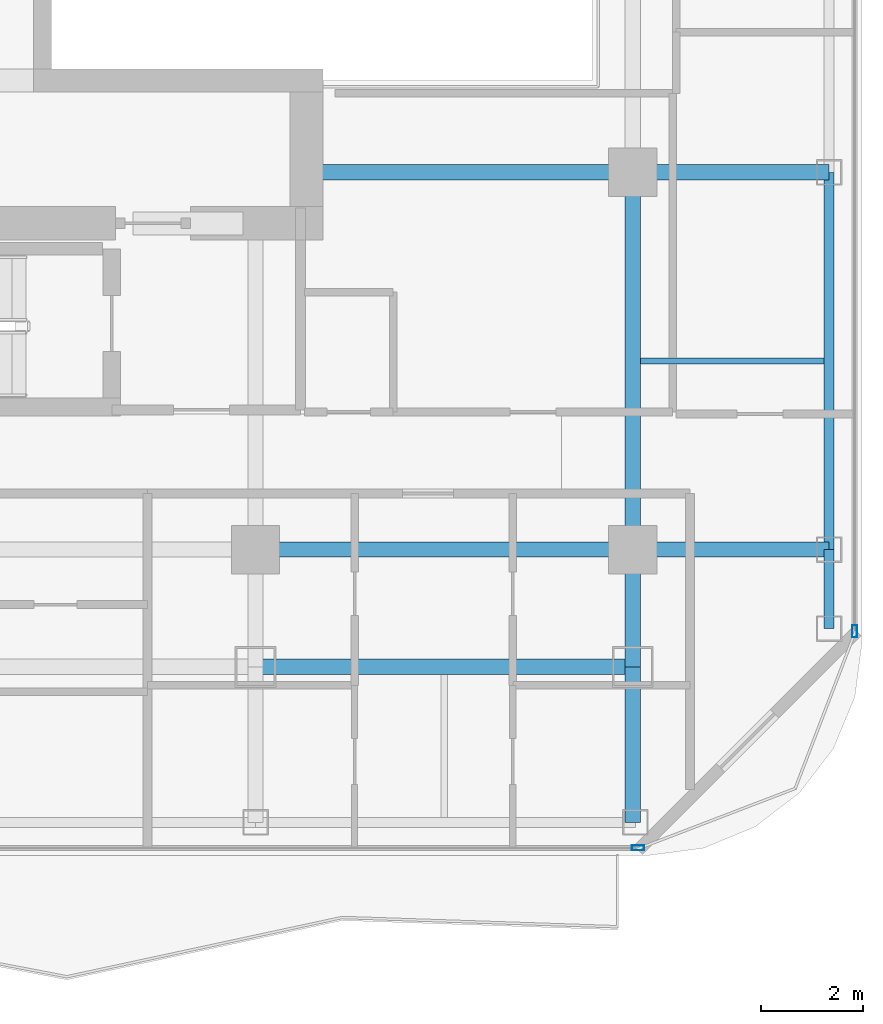
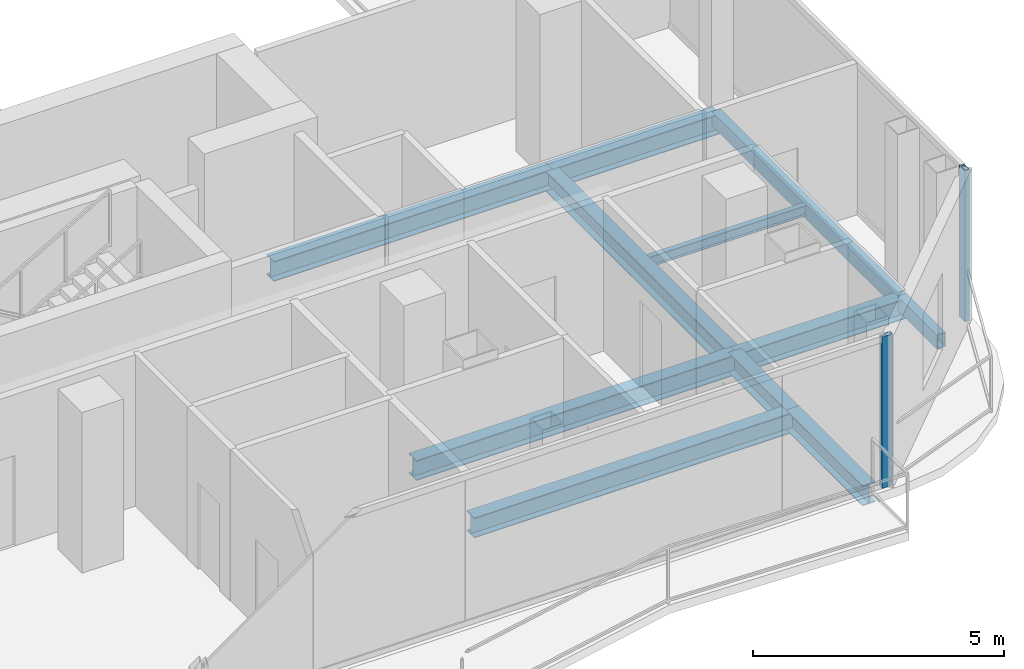
# One storey, part 8 of 23: 11 beams, 2 members, 2 elements without a shape of their own.
"""IFC4 building model written with IfcOpenShell, lengths in metres."""

from ifc_helpers import new_model, si_unit, direction, frame, origin, origin_2d, place, context, subcontext, project, spatial, hollow_rectangle, i_section, extrude, material, layer, layer_set, material_profile, profile_set, type_object, element, aggregate, save


model = new_model("IFC4")

# Units and contexts
model_context = context("Model", 3, precision=1e-05, world=origin(), true_north=direction((0.0, 1.0)))
body_context = subcontext(model_context, "Body", "Model", "MODEL_VIEW")
ifc_project = project(units=[si_unit("LENGTHUNIT", "METRE"), si_unit("AREAUNIT", "SQUARE_METRE"), si_unit("VOLUMEUNIT", "CUBIC_METRE"), si_unit("PLANEANGLEUNIT", "RADIAN"), si_unit("MASSUNIT", "GRAM", prefix="KILO")], contexts=[model_context])

# Site, building, storey
site_placement = place(None, origin())
site = spatial("IfcSite", under=ifc_project, at=site_placement, CompositionType="ELEMENT")
building_placement = place(site_placement, origin())
building = spatial("IfcBuilding", under=site, at=building_placement, Name="Khorvyn Point Tower", CompositionType="ELEMENT")
storey_placement = place(building_placement, frame((0.0, 0.0, 297.60009765625)))
storey = spatial("IfcBuildingStorey", under=building, at=storey_placement, Name="L73", CompositionType="ELEMENT", Elevation=297.60009765625)

# Curtain wall, member
ifc_material_1 = material(Name="Anodised aluminium 6063-T6 and laminated Low-E glass", Category="aluminium")
ifc_layer = layer(ifc_material_1, 0.18994140625)
ifc_layer_set = layer_set([ifc_layer], Name="Stick-Built High-Wind Curtain Wall CW-SYS-04")
curtain_wall_type = type_object("IfcCurtainWallType", Name="Stick-Built High-Wind Curtain Wall CW-SYS-04", PredefinedType="NOTDEFINED", material=ifc_layer_set)
curtain_wall_1_placement = place(storey_placement, origin())
curtain_wall_1 = element("IfcCurtainWall", 1, at=curtain_wall_1_placement, inside=storey, type_object=curtain_wall_type, Name="Curtain Wall", PredefinedType="NOTDEFINED")
ifc_material_2 = material(Name="Anodised aluminium 6063-T6", Category="aluminium")
ifc_material_profile_1 = material_profile(ifc_material_2, hollow_rectangle(XDim=0.10009765625, YDim=0.239990234375, WallThickness=0.0048828125, at=origin_2d()))
ifc_profile_set_1 = profile_set([ifc_material_profile_1], Name="Anodised aluminium 6063-T6 ALU-MUL-100x240")
member_type = type_object("IfcMemberType", Name="Anodised Aluminium 6063-T6 Mullion ALU-MUL-100x240", PredefinedType="MULLION", material=ifc_profile_set_1)
member_1_placement = place(storey_placement, frame((14.89990234375, -20.64990234375, 0.0), z_axis=(0.0, 0.0, 1.0), x_axis=(0.0, -1.0, 0.0)))
member_1 = element("IfcMember", 2, at=member_1_placement, type_object=member_type, Name="Transom", PredefinedType="MULLION", context=body_context, shape_type="SweptSolid", body=[
    extrude(hollow_rectangle(XDim=0.10009765625, YDim=0.239990234375, WallThickness=0.0048828125, at=origin_2d()), origin(), (0.0, 0.0, 1.0), 3.679931640625),
])
aggregate(curtain_wall_1, [member_1])

curtain_wall_2_placement = place(storey_placement, origin())
curtain_wall_2 = element("IfcCurtainWall", 3, at=curtain_wall_2_placement, inside=storey, type_object=curtain_wall_type, Name="Curtain Wall", PredefinedType="NOTDEFINED")
member_2_placement = place(storey_placement, frame((19.14990234375, -16.39990234375, 0.0), z_axis=(0.0, 0.0, 1.0), x_axis=(1.0, 0.0, 0.0)))
member_2 = element("IfcMember", 4, at=member_2_placement, type_object=member_type, Name="Transom", PredefinedType="MULLION", context=body_context, shape_type="SweptSolid", body=[
    extrude(hollow_rectangle(XDim=0.10009765625, YDim=0.239990234375, WallThickness=0.0048828125, at=origin_2d()), origin(), (0.0, 0.0, 1.0), 3.679931640625),
])
aggregate(curtain_wall_2, [member_2])

# Beams
ifc_material_3 = material(Name="Steel S355", Category="steel")
ifc_material_profile_2 = material_profile(ifc_material_3, i_section(OverallWidth=0.125, OverallDepth=0.25, WebThickness=0.006103515625, FlangeThickness=0.009033203125, at=origin_2d()))
ifc_profile_set_2 = profile_set([ifc_material_profile_2], Name="Steel S355 H250x125x6x9")
beam_type_1 = type_object("IfcBeamType", Name="Steel S355 Joist H250x125x6x9", PredefinedType="JOIST", material=ifc_profile_set_2)
beam_1_placement = place(storey_placement, frame((14.949951171875, -11.10009765625, -0.34521484375), z_axis=(1.0, 0.0, 0.0), x_axis=(0.0, 1.0, 0.0)))
element("IfcBeam", 5, at=beam_1_placement, inside=storey, type_object=beam_type_1, Name="Beam", PredefinedType="JOIST", context=body_context, shape_type="SweptSolid", body=[
    extrude(i_section(OverallWidth=0.125, OverallDepth=0.25, WebThickness=0.006103515625, FlangeThickness=0.009033203125, at=origin_2d()), origin(), (0.0, 0.0, 1.0), 3.60009765625),
])
ifc_material_profile_3 = material_profile(ifc_material_3, i_section(OverallWidth=0.300048828125, OverallDepth=0.488037109375, WebThickness=0.010986328125, FlangeThickness=0.01806640625, at=origin_2d()))
ifc_profile_set_3 = profile_set([ifc_material_profile_3], Name="Steel S355 H488x300x11x18")
beam_type_2 = type_object("IfcBeamType", Name="Steel S355 Spandrel H488x300x11x18", PredefinedType="SPANDREL", material=ifc_profile_set_3)
beam_2_placement = place(storey_placement, frame((7.39990234375, -14.800048828125, -0.464111328125), z_axis=(1.0, 0.0, 0.0), x_axis=(0.0, 1.0, 0.0)))
element("IfcBeam", 6, at=beam_2_placement, inside=storey, type_object=beam_type_2, Name="Beam", PredefinedType="SPANDREL", context=body_context, shape_type="SweptSolid", body=[
    extrude(i_section(OverallWidth=0.300048828125, OverallDepth=0.488037109375, WebThickness=0.010986328125, FlangeThickness=0.01806640625, at=origin_2d()), origin(), (0.0, 0.0, 1.0), 7.400146484375),
])
beam_3_placement = place(storey_placement, frame((14.800048828125, -14.800048828125, -0.464111328125), z_axis=(1.0, 0.0, 0.0), x_axis=(0.0, 1.0, 0.0)))
element("IfcBeam", 7, at=beam_3_placement, inside=storey, type_object=beam_type_2, Name="Beam", PredefinedType="SPANDREL", context=body_context, shape_type="SweptSolid", body=[
    extrude(i_section(OverallWidth=0.300048828125, OverallDepth=0.488037109375, WebThickness=0.010986328125, FlangeThickness=0.01806640625, at=origin_2d()), origin(), (0.0, 0.0, 1.0), 3.849853515625),
])
beam_4_placement = place(storey_placement, frame((8.39990234375, -7.39990234375, -0.464111328125), z_axis=(1.0, 0.0, 0.0), x_axis=(0.0, 1.0, 0.0)))
element("IfcBeam", 8, at=beam_4_placement, inside=storey, type_object=beam_type_2, Name="Beam", PredefinedType="SPANDREL", context=body_context, shape_type="SweptSolid", body=[
    extrude(i_section(OverallWidth=0.300048828125, OverallDepth=0.488037109375, WebThickness=0.010986328125, FlangeThickness=0.01806640625, at=origin_2d()), origin(), (0.0, 0.0, 1.0), 6.400146484375),
])
beam_5_placement = place(storey_placement, frame((14.800048828125, -7.39990234375, -0.464111328125), z_axis=(1.0, 0.0, 0.0), x_axis=(0.0, 1.0, 0.0)))
element("IfcBeam", 9, at=beam_5_placement, inside=storey, type_object=beam_type_2, Name="Beam", PredefinedType="SPANDREL", context=body_context, shape_type="SweptSolid", body=[
    extrude(i_section(OverallWidth=0.300048828125, OverallDepth=0.488037109375, WebThickness=0.010986328125, FlangeThickness=0.01806640625, at=origin_2d()), origin(), (0.0, 0.0, 1.0), 3.849853515625),
])
beam_6_placement = place(storey_placement, frame((7.39990234375, -17.10009765625, -0.464111328125), z_axis=(1.0, 0.0, 0.0), x_axis=(0.0, 1.0, 0.0)))
element("IfcBeam", 10, at=beam_6_placement, inside=storey, type_object=beam_type_2, Name="Beam", PredefinedType="SPANDREL", context=body_context, shape_type="SweptSolid", body=[
    extrude(i_section(OverallWidth=0.300048828125, OverallDepth=0.488037109375, WebThickness=0.010986328125, FlangeThickness=0.01806640625, at=origin_2d()), origin(), (0.0, 0.0, 1.0), 7.400146484375),
])
beam_7_placement = place(storey_placement, frame((14.800048828125, -20.14990234375, -0.464111328125), z_axis=(0.0, 1.0, 0.0), x_axis=(-1.0, 0.0, 0.0)))
element("IfcBeam", 11, at=beam_7_placement, inside=storey, type_object=beam_type_2, Name="Beam", PredefinedType="SPANDREL", context=body_context, shape_type="SweptSolid", body=[
    extrude(i_section(OverallWidth=0.300048828125, OverallDepth=0.488037109375, WebThickness=0.010986328125, FlangeThickness=0.01806640625, at=origin_2d()), origin(), (0.0, 0.0, 1.0), 3.0498046875),
])
beam_8_placement = place(storey_placement, frame((14.800048828125, -17.10009765625, -0.464111328125), z_axis=(0.0, 1.0, 0.0), x_axis=(-1.0, 0.0, 0.0)))
element("IfcBeam", 12, at=beam_8_placement, inside=storey, type_object=beam_type_2, Name="Beam", PredefinedType="SPANDREL", context=body_context, shape_type="SweptSolid", body=[
    extrude(i_section(OverallWidth=0.300048828125, OverallDepth=0.488037109375, WebThickness=0.010986328125, FlangeThickness=0.01806640625, at=origin_2d()), origin(), (0.0, 0.0, 1.0), 2.300048828125),
])
beam_9_placement = place(storey_placement, frame((14.800048828125, -14.800048828125, -0.464111328125), z_axis=(0.0, 1.0, 0.0), x_axis=(-1.0, 0.0, 0.0)))
element("IfcBeam", 13, at=beam_9_placement, inside=storey, type_object=beam_type_2, Name="Beam", PredefinedType="SPANDREL", context=body_context, shape_type="SweptSolid", body=[
    extrude(i_section(OverallWidth=0.300048828125, OverallDepth=0.488037109375, WebThickness=0.010986328125, FlangeThickness=0.01806640625, at=origin_2d()), origin(), (0.0, 0.0, 1.0), 7.400146484375),
])
ifc_material_profile_4 = material_profile(ifc_material_3, hollow_rectangle(XDim=0.199951171875, YDim=0.35009765625, WallThickness=0.013916015625, at=origin_2d()))
ifc_profile_set_4 = profile_set([ifc_material_profile_4], Name="Steel S355 RHS350x200x14")
beam_type_3 = type_object("IfcBeamType", Name="Steel S355 Spandrel RHS350x200x14", PredefinedType="SPANDREL", material=ifc_profile_set_4)
beam_10_placement = place(storey_placement, frame((18.64990234375, -16.35009765625, -0.39501953125), z_axis=(0.0, 1.0, 0.0), x_axis=(-1.0, 0.0, 0.0)))
element("IfcBeam", 14, at=beam_10_placement, inside=storey, type_object=beam_type_3, Name="Beam", PredefinedType="SPANDREL", context=body_context, shape_type="SweptSolid", body=[
    extrude(hollow_rectangle(XDim=0.199951171875, YDim=0.35009765625, WallThickness=0.013916015625, at=origin_2d()), origin(), (0.0, 0.0, 1.0), 1.550048828125),
])
beam_11_placement = place(storey_placement, frame((18.64990234375, -14.800048828125, -0.39501953125), z_axis=(0.0, 1.0, 0.0), x_axis=(-1.0, 0.0, 0.0)))
element("IfcBeam", 15, at=beam_11_placement, inside=storey, type_object=beam_type_3, Name="Beam", PredefinedType="SPANDREL", context=body_context, shape_type="SweptSolid", body=[
    extrude(hollow_rectangle(XDim=0.199951171875, YDim=0.35009765625, WallThickness=0.013916015625, at=origin_2d()), origin(), (0.0, 0.0, 1.0), 7.400146484375),
])

save(model, "model.ifc")
